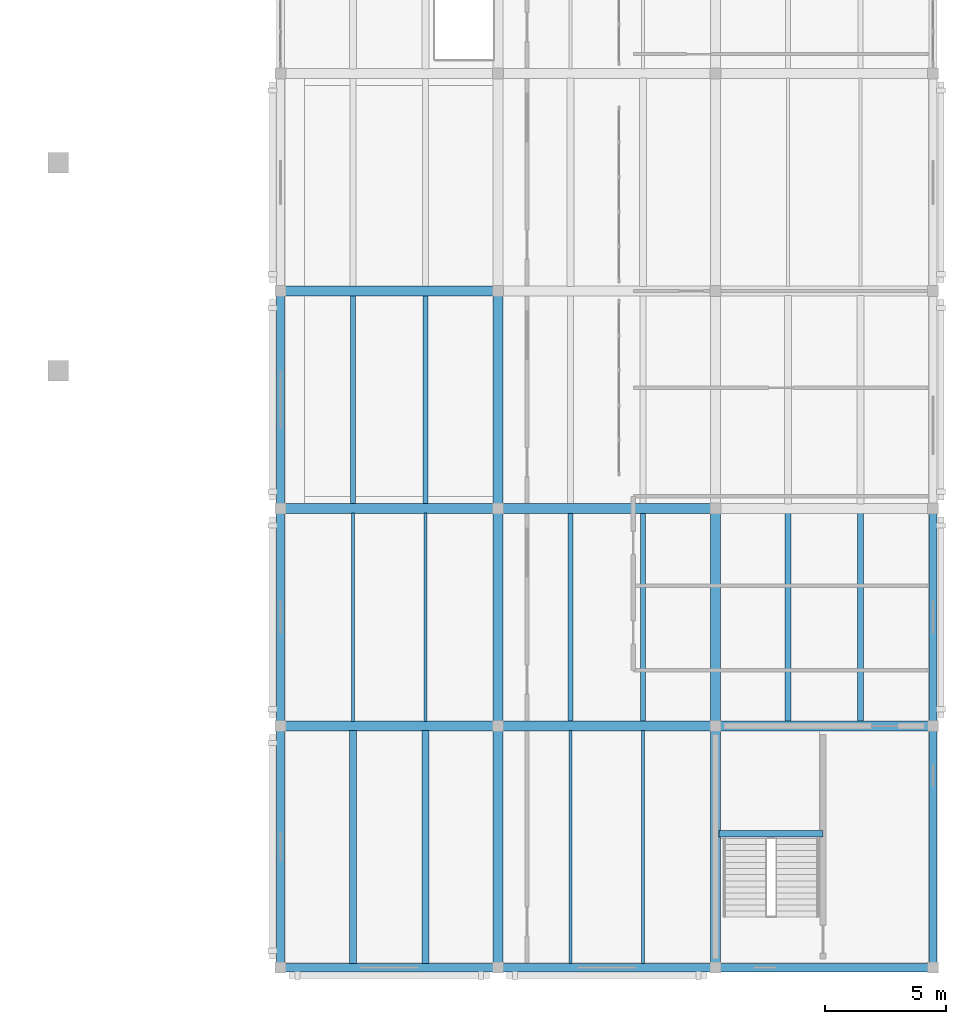
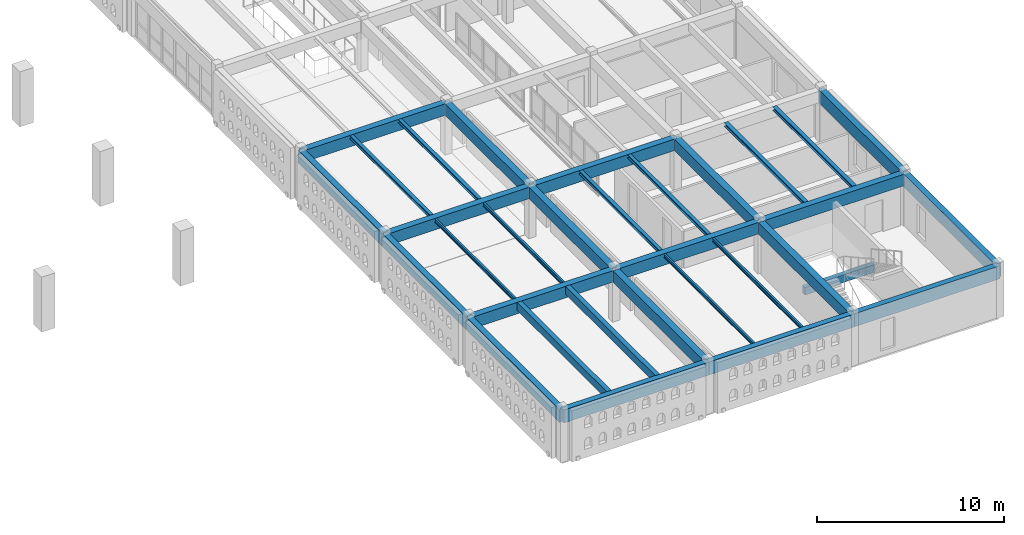
# One storey, part 34 of 80: 32 beams.
"""IFC4 building model written with IfcOpenShell, lengths in metres."""

from ifc_helpers import new_model, si_unit, direction, frame, origin, origin_2d, place, context, subcontext, project, spatial, rectangle, i_section, extrude, material, material_profile, profile_set, type_object, element, save


model = new_model("IFC4")

# Units and contexts
model_context = context("Model", 3, precision=1e-05, world=origin(), true_north=direction((0.0, 1.0)))
body_context = subcontext(model_context, "Body", "Model", "MODEL_VIEW")
ifc_project = project(units=[si_unit("LENGTHUNIT", "METRE"), si_unit("AREAUNIT", "SQUARE_METRE"), si_unit("VOLUMEUNIT", "CUBIC_METRE"), si_unit("PLANEANGLEUNIT", "RADIAN"), si_unit("MASSUNIT", "GRAM", prefix="KILO")], contexts=[model_context])

# Site, building, storey
site_placement = place(None, origin())
site = spatial("IfcSite", under=ifc_project, at=site_placement, CompositionType="ELEMENT")
building_placement = place(site_placement, origin())
building = spatial("IfcBuilding", under=site, at=building_placement, Name="Ornek Quay Market", CompositionType="ELEMENT")
storey_placement = place(building_placement, frame((0.0, 0.0, 8.39990234375)))
storey = spatial("IfcBuildingStorey", under=building, at=storey_placement, Name="L02", CompositionType="ELEMENT", Elevation=8.39990234375)

# Beams
ifc_material_1 = material(Name="Concrete C35/45", Category="concrete")
ifc_material_profile_1 = material_profile(ifc_material_1, rectangle(XDim=0.39990234375, YDim=0.75, at=origin_2d()), Name="RC 400x750", Category="concrete")
ifc_profile_set_1 = profile_set([ifc_material_profile_1], Name="Concrete C35/45")
beam_type_1 = type_object("IfcBeamType", Name="BM-CS-400x750", PredefinedType="BEAM", material=ifc_profile_set_1)
for number, where, z_axis, x_axis, name in (
    (1, (153.0, 20.0, 2.97509765625), (1.0, 0.0, 0.0), (0.0, 1.0, 0.0), "Primary beam B-CS1-054"),
    (2, (162.0, 20.0, 2.97509765625), (1.0, 0.0, 0.0), (0.0, 1.0, 0.0), "Primary beam B-CS1-055"),
    (3, (171.0, 20.0, 2.97509765625), (1.0, 0.0, 0.0), (0.0, 1.0, 0.0), "Primary beam B-CS1-056"),
    (4, (153.0, 29.0, 2.97509765625), (1.0, 0.0, 0.0), (0.0, 1.0, 0.0), "Primary beam B-CS1-057"),
    (5, (162.0, 29.0, 2.97509765625), (1.0, 0.0, 0.0), (0.0, 1.0, 0.0), "Primary beam B-CS1-058"),
    (6, (153.0, 38.0, 2.97509765625), (1.0, 0.0, 0.0), (0.0, 1.0, 0.0), "Primary beam B-CS1-060"),
):
    element("IfcBeam", number, at=place(storey_placement, frame(where, z_axis=z_axis, x_axis=x_axis)), inside=storey, type_object=beam_type_1, Name=name, PredefinedType="BEAM", context=body_context, shape_type="SweptSolid", body=[
        extrude(rectangle(XDim=0.39990234375, YDim=0.75, at=origin_2d()), origin(), (0.0, 0.0, 1.0), 9.0),
    ])
beam_1_placement = place(storey_placement, frame((162.0, 10.0, 2.97509765625), z_axis=(0.0, 1.0, 0.0), x_axis=(-1.0, 0.0, 0.0)))
element("IfcBeam", 7, at=beam_1_placement, inside=storey, type_object=beam_type_1, Name="Primary beam B-CS1-069", PredefinedType="BEAM", context=body_context, shape_type="SweptSolid", body=[
    extrude(rectangle(XDim=0.39990234375, YDim=0.75, at=origin_2d()), origin(), (0.0, 0.0, 1.0), 10.0),
])
for number, where, z_axis, x_axis, name in (
    (8, (162.0, 20.0, 2.97509765625), (0.0, 1.0, 0.0), (-1.0, 0.0, 0.0), "Primary beam B-CS1-070"),
    (9, (162.0, 29.0, 2.97509765625), (0.0, 1.0, 0.0), (-1.0, 0.0, 0.0), "Primary beam B-CS1-071"),
):
    element("IfcBeam", number, at=place(storey_placement, frame(where, z_axis=z_axis, x_axis=x_axis)), inside=storey, type_object=beam_type_1, Name=name, PredefinedType="BEAM", context=body_context, shape_type="SweptSolid", body=[
        extrude(rectangle(XDim=0.39990234375, YDim=0.75, at=origin_2d()), origin(), (0.0, 0.0, 1.0), 9.0),
    ])
beam_2_placement = place(storey_placement, frame((171.0, 10.0, 2.97509765625), z_axis=(0.0, 1.0, 0.0), x_axis=(-1.0, 0.0, 0.0)))
element("IfcBeam", 10, at=beam_2_placement, inside=storey, type_object=beam_type_1, Name="Primary beam B-CS1-075", PredefinedType="BEAM", context=body_context, shape_type="SweptSolid", body=[
    extrude(rectangle(XDim=0.39990234375, YDim=0.75, at=origin_2d()), origin(), (0.0, 0.0, 1.0), 10.0),
])
beam_3_placement = place(storey_placement, frame((171.0, 20.0, 2.97509765625), z_axis=(0.0, 1.0, 0.0), x_axis=(-1.0, 0.0, 0.0)))
element("IfcBeam", 11, at=beam_3_placement, inside=storey, type_object=beam_type_1, Name="Primary beam B-CS1-076", PredefinedType="BEAM", context=body_context, shape_type="SweptSolid", body=[
    extrude(rectangle(XDim=0.39990234375, YDim=0.75, at=origin_2d()), origin(), (0.0, 0.0, 1.0), 9.0),
])
ifc_material_profile_2 = material_profile(ifc_material_1, rectangle(XDim=0.280029296875, YDim=0.5, at=origin_2d()), Name="RC 280x500", Category="concrete")
ifc_profile_set_2 = profile_set([ifc_material_profile_2], Name="Concrete C35/45")
beam_type_2 = type_object("IfcBeamType", Name="BM-SEC-280x500", PredefinedType="JOIST", material=ifc_profile_set_2)
for number, where, z_axis, x_axis, name in (
    (12, (156.0, 10.1669921875, 3.10009765625), (0.0, 1.0, 0.0), (-1.0, 0.0, 0.0), "Secondary joist B-SC2-091"),
    (13, (159.0, 10.1669921875, 3.10009765625), (0.0, 1.0, 0.0), (-1.0, 0.0, 0.0), "Secondary joist B-SC2-092"),
):
    element("IfcBeam", number, at=place(storey_placement, frame(where, z_axis=z_axis, x_axis=x_axis)), inside=storey, type_object=beam_type_2, Name=name, PredefinedType="JOIST", context=body_context, shape_type="SweptSolid", body=[
        extrude(rectangle(XDim=0.280029296875, YDim=0.5, at=origin_2d()), origin(), (0.0, 0.0, 1.0), 9.64111328125),
    ])
beam_4_placement = place(storey_placement, frame((171.14990234375, 15.5419921875, 1.385009765625), z_axis=(1.0, 0.0, 0.0), x_axis=(0.0, 1.0, 0.0)))
element("IfcBeam", 14, at=beam_4_placement, inside=storey, type_object=beam_type_2, Name="Stair landing beam BL-16", PredefinedType="JOIST", context=body_context, shape_type="SweptSolid", body=[
    extrude(rectangle(XDim=0.280029296875, YDim=0.5, at=origin_2d()), origin(), (0.0, 0.0, 1.0), 4.300048828125),
])
ifc_material_2 = material(Name="Concrete C40/50", Category="concrete")
ifc_material_profile_3 = material_profile(ifc_material_2, rectangle(XDim=0.35009765625, YDim=0.85009765625, at=origin_2d()), Name="RC 350x850", Category="concrete")
ifc_profile_set_3 = profile_set([ifc_material_profile_3], Name="Concrete C40/50")
beam_type_3 = type_object("IfcBeamType", Name="BM-SPN-350x850", PredefinedType="SPANDREL", material=ifc_profile_set_3)
for number, where, z_axis, x_axis, name in (
    (15, (153.0, 10.0, 2.925048828125), (1.0, 0.0, 0.0), (0.0, 1.0, 0.0), "Primary beam B-SP1-146"),
    (16, (162.0, 10.0, 2.925048828125), (1.0, 0.0, 0.0), (0.0, 1.0, 0.0), "Primary beam B-SP1-147"),
    (17, (171.0, 10.0, 2.925048828125), (1.0, 0.0, 0.0), (0.0, 1.0, 0.0), "Primary beam B-SP1-148"),
):
    element("IfcBeam", number, at=place(storey_placement, frame(where, z_axis=z_axis, x_axis=x_axis)), inside=storey, type_object=beam_type_3, Name=name, PredefinedType="SPANDREL", context=body_context, shape_type="SweptSolid", body=[
        extrude(rectangle(XDim=0.35009765625, YDim=0.85009765625, at=origin_2d()), origin(), (0.0, 0.0, 1.0), 9.0),
    ])
beam_5_placement = place(storey_placement, frame((153.0, 10.0, 2.925048828125), z_axis=(0.0, 1.0, 0.0), x_axis=(-1.0, 0.0, 0.0)))
element("IfcBeam", 18, at=beam_5_placement, inside=storey, type_object=beam_type_3, Name="Primary beam B-SP1-149", PredefinedType="SPANDREL", context=body_context, shape_type="SweptSolid", body=[
    extrude(rectangle(XDim=0.35009765625, YDim=0.85009765625, at=origin_2d()), origin(), (0.0, 0.0, 1.0), 10.0),
])
for number, where, z_axis, x_axis, name in (
    (19, (153.0, 20.0, 2.925048828125), (0.0, 1.0, 0.0), (-1.0, 0.0, 0.0), "Primary beam B-SP1-150"),
    (20, (153.0, 29.0, 2.925048828125), (0.0, 1.0, 0.0), (-1.0, 0.0, 0.0), "Primary beam B-SP1-151"),
):
    element("IfcBeam", number, at=place(storey_placement, frame(where, z_axis=z_axis, x_axis=x_axis)), inside=storey, type_object=beam_type_3, Name=name, PredefinedType="SPANDREL", context=body_context, shape_type="SweptSolid", body=[
        extrude(rectangle(XDim=0.35009765625, YDim=0.85009765625, at=origin_2d()), origin(), (0.0, 0.0, 1.0), 9.0),
    ])
beam_6_placement = place(storey_placement, frame((180.0, 10.0, 2.925048828125), z_axis=(0.0, 1.0, 0.0), x_axis=(-1.0, 0.0, 0.0)))
element("IfcBeam", 21, at=beam_6_placement, inside=storey, type_object=beam_type_3, Name="Primary beam B-SP1-155", PredefinedType="SPANDREL", context=body_context, shape_type="SweptSolid", body=[
    extrude(rectangle(XDim=0.35009765625, YDim=0.85009765625, at=origin_2d()), origin(), (0.0, 0.0, 1.0), 10.0),
])
beam_7_placement = place(storey_placement, frame((180.0, 20.0, 2.925048828125), z_axis=(0.0, 1.0, 0.0), x_axis=(-1.0, 0.0, 0.0)))
element("IfcBeam", 22, at=beam_7_placement, inside=storey, type_object=beam_type_3, Name="Primary beam B-SP1-156", PredefinedType="SPANDREL", context=body_context, shape_type="SweptSolid", body=[
    extrude(rectangle(XDim=0.35009765625, YDim=0.85009765625, at=origin_2d()), origin(), (0.0, 0.0, 1.0), 9.0),
])
ifc_material_3 = material(Name="Steel S355", Category="steel")
ifc_material_profile_4 = material_profile(ifc_material_3, i_section(OverallWidth=0.219970703125, OverallDepth=0.2099609375, WebThickness=0.007080078125, FlangeThickness=0.010986328125, FilletRadius=0.01806640625, at=origin_2d()), Name="HEA 220", Category="steel")
ifc_profile_set_4 = profile_set([ifc_material_profile_4], Name="Steel S355")
beam_type_4 = type_object("IfcBeamType", Name="BM-STL-HEA220", PredefinedType="BEAM", material=ifc_profile_set_4)
for number, where, z_axis, x_axis, name in (
    (23, (156.0, 29.19189453125, 3.2451171875), (0.0, 1.0, 0.0), (-1.0, 0.0, 0.0), "Secondary joist SB-13-031"),
    (24, (159.0, 29.19189453125, 3.2451171875), (0.0, 1.0, 0.0), (-1.0, 0.0, 0.0), "Secondary joist SB-13-032"),
    (25, (165.0, 20.19189453125, 3.2451171875), (0.0, 1.0, 0.0), (-1.0, 0.0, 0.0), "Secondary joist SB-13-033"),
    (26, (168.0, 20.19189453125, 3.2451171875), (0.0, 1.0, 0.0), (-1.0, 0.0, 0.0), "Secondary joist SB-13-034"),
):
    element("IfcBeam", number, at=place(storey_placement, frame(where, z_axis=z_axis, x_axis=x_axis)), inside=storey, type_object=beam_type_4, Name=name, PredefinedType="BEAM", context=body_context, shape_type="SweptSolid", body=[
        extrude(i_section(OverallWidth=0.219970703125, OverallDepth=0.2099609375, WebThickness=0.007080078125, FlangeThickness=0.010986328125, FilletRadius=0.01806640625, at=origin_2d()), origin(), (0.0, 0.0, 1.0), 8.6162109375),
    ])
ifc_material_profile_5 = material_profile(ifc_material_3, i_section(OverallWidth=0.239990234375, OverallDepth=0.22998046875, WebThickness=0.007568359375, FlangeThickness=0.011962890625, FilletRadius=0.02099609375, at=origin_2d()), Name="HEA 240", Category="steel")
ifc_profile_set_5 = profile_set([ifc_material_profile_5], Name="Steel S355")
beam_type_5 = type_object("IfcBeamType", Name="BM-STL-HEA240", PredefinedType="BEAM", material=ifc_profile_set_5)
for number, where, z_axis, x_axis, name in (
    (27, (174.0, 20.19189453125, 3.235107421875), (0.0, 1.0, 0.0), (-1.0, 0.0, 0.0), "Secondary joist SB-14-035"),
    (28, (177.0, 20.19189453125, 3.235107421875), (0.0, 1.0, 0.0), (-1.0, 0.0, 0.0), "Secondary joist SB-14-036"),
):
    element("IfcBeam", number, at=place(storey_placement, frame(where, z_axis=z_axis, x_axis=x_axis)), inside=storey, type_object=beam_type_5, Name=name, PredefinedType="BEAM", context=body_context, shape_type="SweptSolid", body=[
        extrude(i_section(OverallWidth=0.239990234375, OverallDepth=0.22998046875, WebThickness=0.007568359375, FlangeThickness=0.011962890625, FilletRadius=0.02099609375, at=origin_2d()), origin(), (0.0, 0.0, 1.0), 8.6162109375),
    ])
ifc_material_profile_6 = material_profile(ifc_material_3, i_section(OverallWidth=0.1201171875, OverallDepth=0.239990234375, WebThickness=0.006103515625, FlangeThickness=0.009765625, FilletRadius=0.014892578125, at=origin_2d()), Name="IPE 240", Category="steel")
ifc_profile_set_6 = profile_set([ifc_material_profile_6], Name="Steel S355")
beam_type_6 = type_object("IfcBeamType", Name="BM-STL-IPE240", PredefinedType="JOIST", material=ifc_profile_set_6)
for number, where, z_axis, x_axis, name in (
    (29, (156.0, 20.19189453125, 3.22998046875), (0.0, 1.0, 0.0), (-1.0, 0.0, 0.0), "Secondary joist SB-04-053"),
    (30, (159.0, 20.19189453125, 3.22998046875), (0.0, 1.0, 0.0), (-1.0, 0.0, 0.0), "Secondary joist SB-04-054"),
):
    element("IfcBeam", number, at=place(storey_placement, frame(where, z_axis=z_axis, x_axis=x_axis)), inside=storey, type_object=beam_type_6, Name=name, PredefinedType="JOIST", context=body_context, shape_type="SweptSolid", body=[
        extrude(i_section(OverallWidth=0.1201171875, OverallDepth=0.239990234375, WebThickness=0.006103515625, FlangeThickness=0.009765625, FilletRadius=0.014892578125, at=origin_2d()), origin(), (0.0, 0.0, 1.0), 8.6162109375),
    ])
for number, where, z_axis, x_axis, name in (
    (31, (165.0, 10.1669921875, 3.22998046875), (0.0, 1.0, 0.0), (-1.0, 0.0, 0.0), "Secondary joist SB-04-057"),
    (32, (168.0, 10.1669921875, 3.22998046875), (0.0, 1.0, 0.0), (-1.0, 0.0, 0.0), "Secondary joist SB-04-058"),
):
    element("IfcBeam", number, at=place(storey_placement, frame(where, z_axis=z_axis, x_axis=x_axis)), inside=storey, type_object=beam_type_6, Name=name, PredefinedType="JOIST", context=body_context, shape_type="SweptSolid", body=[
        extrude(i_section(OverallWidth=0.1201171875, OverallDepth=0.239990234375, WebThickness=0.006103515625, FlangeThickness=0.009765625, FilletRadius=0.014892578125, at=origin_2d()), origin(), (0.0, 0.0, 1.0), 9.64111328125),
    ])

save(model, "model.ifc")
